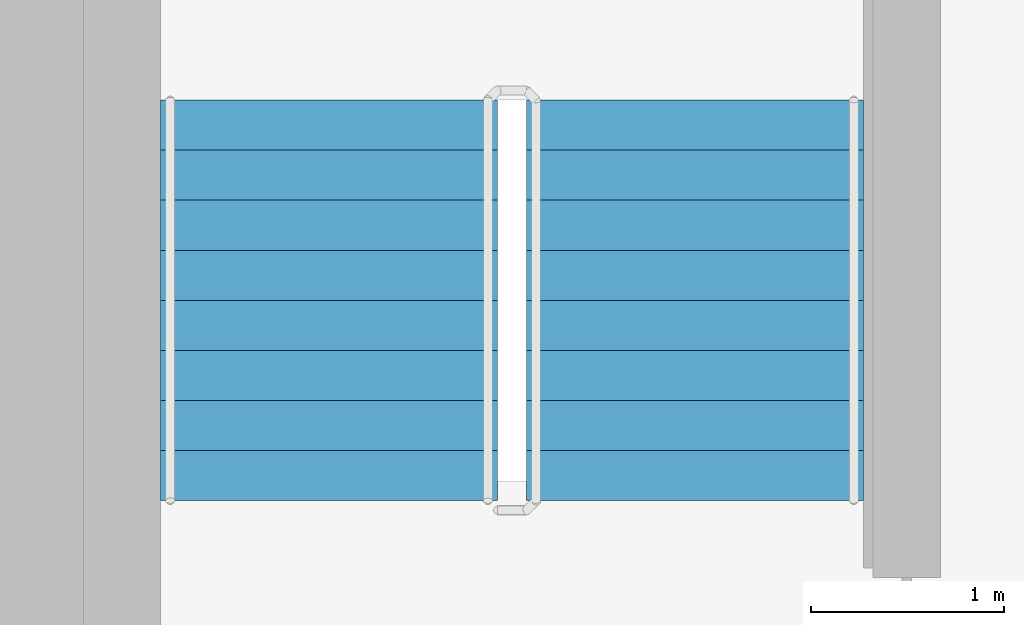
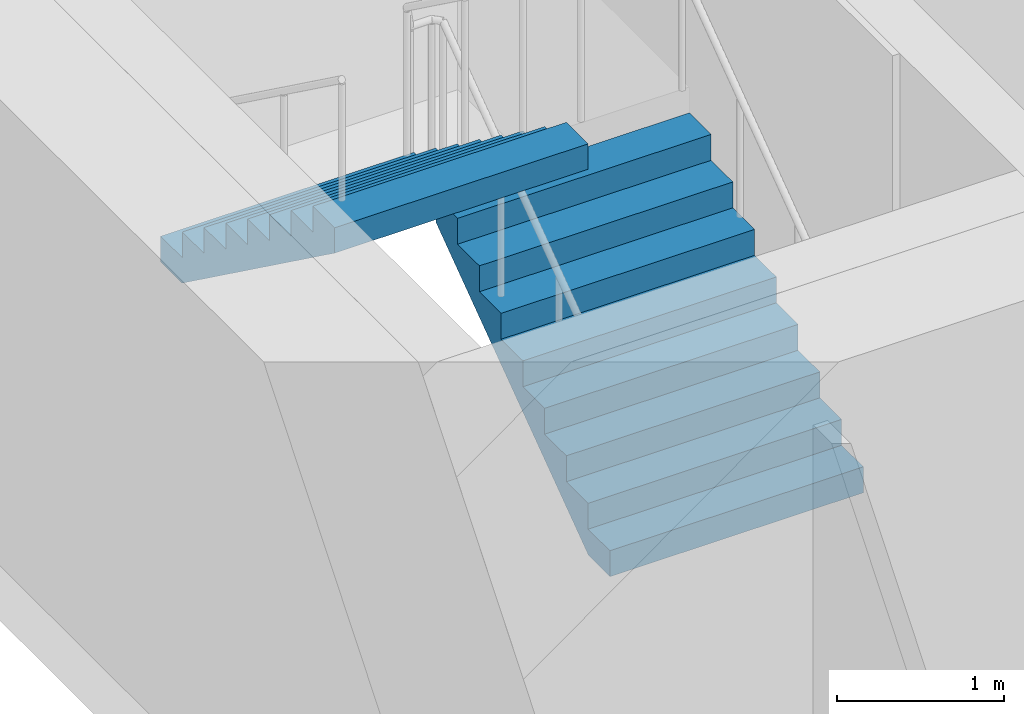
# One storey, part 17 of 20: 2 stair flights, 1 element without a shape of its own.
"""IFC4 building model written with IfcOpenShell, lengths in metres."""

from ifc_helpers import new_model, si_unit, direction, frame, origin, place, context, subcontext, project, spatial, faceted_brep, material, type_object, element, aggregate, save


model = new_model("IFC4")

# Units and contexts
model_context = context("Model", 3, precision=1e-05, world=origin(), true_north=direction((0.0, 1.0)))
body_context = subcontext(model_context, "Body", "Model", "MODEL_VIEW")
ifc_project = project(units=[si_unit("LENGTHUNIT", "METRE"), si_unit("AREAUNIT", "SQUARE_METRE"), si_unit("VOLUMEUNIT", "CUBIC_METRE"), si_unit("PLANEANGLEUNIT", "RADIAN"), si_unit("MASSUNIT", "GRAM", prefix="KILO")], contexts=[model_context])

# Site, building, storey
site_placement = place(None, origin())
site = spatial("IfcSite", under=ifc_project, at=site_placement, CompositionType="ELEMENT")
building_placement = place(site_placement, origin())
building = spatial("IfcBuilding", under=site, at=building_placement, Name="Ipe Terrace Towers", CompositionType="ELEMENT")
storey_placement = place(building_placement, frame((0.0, 0.0, 154.10009765625)))
storey = spatial("IfcBuildingStorey", under=building, at=storey_placement, Name="L42", CompositionType="ELEMENT", Elevation=154.10009765625)

# Stair, stair flights
ifc_material_1 = material(Name="Concrete C30/37", Category="concrete")
stair_type = type_object("IfcStairType", Name="Protected exit stair", PredefinedType="HALF_TURN_STAIR", material=ifc_material_1)
stair_placement = place(storey_placement, origin())
stair = element("IfcStair", 1, at=stair_placement, inside=storey, type_object=stair_type, Name="L42 Exit stair T2-C1", PredefinedType="HALF_TURN_STAIR")
ifc_material_2 = material(Name="Concrete C30/37", Category="concrete")
stair_flight_type = type_object("IfcStairFlightType", Name="Exit stair flight 1750", PredefinedType="STRAIGHT", material=ifc_material_2)
stair_flight_1_placement = place(storey_placement, frame((33.22509765625, 9.699951171875, 0.0), z_axis=(0.0, 0.0, 1.0), x_axis=(0.0, 1.0, 0.0)))
stair_flight_1 = element("IfcStairFlight", 2, at=stair_flight_1_placement, type_object=stair_flight_type, Name="T2-ST1 flight 1", NumberOfRisers=9, NumberOfTreads=8, PredefinedType="STRAIGHT", RiserHeight=0.188888889, TreadLength=0.26, context=body_context, shape_type="Brep", body=[
    faceted_brep([(0.255126953125, -0.875, 0.0), (2.080078125, -0.875, 1.325927734375), (2.080078125, -0.875, 1.51123046875), (1.820068359375, -0.875, 1.51123046875), (1.820068359375, -0.875, 1.322265625), (1.56005859375, -0.875, 1.322265625), (1.56005859375, -0.875, 1.13330078125), (1.300048828125, -0.875, 1.13330078125), (1.300048828125, -0.875, 0.9443359375), (1.0400390625, -0.875, 0.9443359375), (1.0400390625, -0.875, 0.755615234375), (0.780029296875, -0.875, 0.755615234375), (0.780029296875, -0.875, 0.566650390625), (0.52001953125, -0.875, 0.566650390625), (0.52001953125, -0.875, 0.377685546875), (0.260009765625, -0.875, 0.377685546875), (0.260009765625, -0.875, 0.18896484375), (0.0, -0.875, 0.18896484375), (0.0, -0.875, 0.0), (0.0, 0.875, 0.0), (0.0, 0.875, 0.18896484375), (0.260009765625, 0.875, 0.18896484375), (0.260009765625, 0.875, 0.377685546875), (0.52001953125, 0.875, 0.377685546875), (0.52001953125, 0.875, 0.566650390625), (0.780029296875, 0.875, 0.566650390625), (0.780029296875, 0.875, 0.755615234375), (1.0400390625, 0.875, 0.755615234375), (1.0400390625, 0.875, 0.9443359375), (1.300048828125, 0.875, 0.9443359375), (1.300048828125, 0.875, 1.13330078125), (1.56005859375, 0.875, 1.13330078125), (1.56005859375, 0.875, 1.322265625), (1.820068359375, 0.875, 1.322265625), (1.820068359375, 0.875, 1.51123046875), (2.080078125, 0.875, 1.51123046875), (2.080078125, 0.875, 1.325927734375), (0.255126953125, 0.875, 0.0), (0.0, -0.300048828125, 0.18896484375), (0.0, -0.1201171875, 0.18896484375), (0.0, -0.06005859375, 0.18896484375), (0.0, -0.030029296875, 0.18896484375), (0.0, -0.010009765625, 0.18896484375), (0.0, 0.0, 0.18896484375), (0.0, 0.010009765625, 0.18896484375), (0.0, 0.030029296875, 0.18896484375), (0.0, 0.06005859375, 0.18896484375), (0.0, 0.1201171875, 0.18896484375), (0.0, 0.300048828125, 0.18896484375), (0.0, 0.300048828125, 0.0), (0.0, 0.1201171875, 0.0), (0.0, 0.06005859375, 0.0), (0.0, 0.030029296875, 0.0), (0.0, 0.010009765625, 0.0), (0.0, 0.0, 0.0), (0.0, -0.010009765625, 0.0), (0.0, -0.030029296875, 0.0), (0.0, -0.06005859375, 0.0), (0.0, -0.1201171875, 0.0), (0.0, -0.300048828125, 0.0), (0.260009765625, -0.300048828125, 0.18896484375), (0.260009765625, -0.1201171875, 0.18896484375), (0.260009765625, -0.06005859375, 0.18896484375), (0.260009765625, -0.030029296875, 0.18896484375), (0.260009765625, -0.010009765625, 0.18896484375), (0.260009765625, 0.0, 0.18896484375), (0.260009765625, 0.010009765625, 0.18896484375), (0.260009765625, 0.030029296875, 0.18896484375), (0.260009765625, 0.06005859375, 0.18896484375), (0.260009765625, 0.1201171875, 0.18896484375), (0.260009765625, 0.300048828125, 0.18896484375), (0.260009765625, -0.300048828125, 0.377685546875), (0.260009765625, -0.1201171875, 0.377685546875), (0.260009765625, -0.06005859375, 0.377685546875), (0.260009765625, -0.030029296875, 0.377685546875), (0.260009765625, -0.010009765625, 0.377685546875), (0.260009765625, 0.0, 0.377685546875), (0.260009765625, 0.010009765625, 0.377685546875), (0.260009765625, 0.030029296875, 0.377685546875), (0.260009765625, 0.06005859375, 0.377685546875), (0.260009765625, 0.1201171875, 0.377685546875), (0.260009765625, 0.300048828125, 0.377685546875), (0.52001953125, -0.300048828125, 0.377685546875), (0.52001953125, -0.1201171875, 0.377685546875), (0.52001953125, -0.06005859375, 0.377685546875), (0.52001953125, -0.030029296875, 0.377685546875), (0.52001953125, -0.010009765625, 0.377685546875), (0.52001953125, 0.0, 0.377685546875), (0.52001953125, 0.010009765625, 0.377685546875), (0.52001953125, 0.030029296875, 0.377685546875), (0.52001953125, 0.06005859375, 0.377685546875), (0.52001953125, 0.1201171875, 0.377685546875), (0.52001953125, 0.300048828125, 0.377685546875), (0.52001953125, -0.300048828125, 0.566650390625), (0.52001953125, -0.1201171875, 0.566650390625), (0.52001953125, -0.06005859375, 0.566650390625), (0.52001953125, -0.030029296875, 0.566650390625), (0.52001953125, -0.010009765625, 0.566650390625), (0.52001953125, 0.0, 0.566650390625), (0.52001953125, 0.010009765625, 0.566650390625), (0.52001953125, 0.030029296875, 0.566650390625), (0.52001953125, 0.06005859375, 0.566650390625), (0.52001953125, 0.1201171875, 0.566650390625), (0.52001953125, 0.300048828125, 0.566650390625), (0.780029296875, -0.300048828125, 0.566650390625), (0.780029296875, -0.1201171875, 0.566650390625), (0.780029296875, -0.06005859375, 0.566650390625), (0.780029296875, -0.030029296875, 0.566650390625), (0.780029296875, -0.010009765625, 0.566650390625), (0.780029296875, 0.0, 0.566650390625), (0.780029296875, 0.010009765625, 0.566650390625), (0.780029296875, 0.030029296875, 0.566650390625), (0.780029296875, 0.06005859375, 0.566650390625), (0.780029296875, 0.1201171875, 0.566650390625), (0.780029296875, 0.300048828125, 0.566650390625), (0.780029296875, -0.300048828125, 0.755615234375), (0.780029296875, -0.1201171875, 0.755615234375), (0.780029296875, -0.06005859375, 0.755615234375), (0.780029296875, -0.030029296875, 0.755615234375), (0.780029296875, -0.010009765625, 0.755615234375), (0.780029296875, 0.0, 0.755615234375), (0.780029296875, 0.010009765625, 0.755615234375), (0.780029296875, 0.030029296875, 0.755615234375), (0.780029296875, 0.06005859375, 0.755615234375), (0.780029296875, 0.1201171875, 0.755615234375), (0.780029296875, 0.300048828125, 0.755615234375), (1.0400390625, -0.300048828125, 0.755615234375), (1.0400390625, -0.1201171875, 0.755615234375), (1.0400390625, -0.06005859375, 0.755615234375), (1.0400390625, -0.030029296875, 0.755615234375), (1.0400390625, -0.010009765625, 0.755615234375), (1.0400390625, 0.0, 0.755615234375), (1.0400390625, 0.010009765625, 0.755615234375), (1.0400390625, 0.030029296875, 0.755615234375), (1.0400390625, 0.06005859375, 0.755615234375), (1.0400390625, 0.1201171875, 0.755615234375), (1.0400390625, 0.300048828125, 0.755615234375), (1.0400390625, -0.300048828125, 0.9443359375), (1.0400390625, -0.1201171875, 0.9443359375), (1.0400390625, -0.06005859375, 0.9443359375), (1.0400390625, -0.030029296875, 0.9443359375), (1.0400390625, -0.010009765625, 0.9443359375), (1.0400390625, 0.0, 0.9443359375), (1.0400390625, 0.010009765625, 0.9443359375), (1.0400390625, 0.030029296875, 0.9443359375), (1.0400390625, 0.06005859375, 0.9443359375), (1.0400390625, 0.1201171875, 0.9443359375), (1.0400390625, 0.300048828125, 0.9443359375), (1.300048828125, -0.300048828125, 0.9443359375), (1.300048828125, -0.1201171875, 0.9443359375), (1.300048828125, -0.06005859375, 0.9443359375), (1.300048828125, -0.030029296875, 0.9443359375), (1.300048828125, -0.010009765625, 0.9443359375), (1.300048828125, 0.0, 0.9443359375), (1.300048828125, 0.010009765625, 0.9443359375), (1.300048828125, 0.030029296875, 0.9443359375), (1.300048828125, 0.06005859375, 0.9443359375), (1.300048828125, 0.1201171875, 0.9443359375), (1.300048828125, 0.300048828125, 0.9443359375), (1.300048828125, -0.300048828125, 1.13330078125), (1.300048828125, -0.1201171875, 1.13330078125), (1.300048828125, -0.06005859375, 1.13330078125), (1.300048828125, -0.030029296875, 1.13330078125), (1.300048828125, -0.010009765625, 1.13330078125), (1.300048828125, 0.0, 1.13330078125), (1.300048828125, 0.010009765625, 1.13330078125), (1.300048828125, 0.030029296875, 1.13330078125), (1.300048828125, 0.06005859375, 1.13330078125), (1.300048828125, 0.1201171875, 1.13330078125), (1.300048828125, 0.300048828125, 1.13330078125), (1.56005859375, -0.300048828125, 1.13330078125), (1.56005859375, -0.1201171875, 1.13330078125), (1.56005859375, -0.06005859375, 1.13330078125), (1.56005859375, -0.030029296875, 1.13330078125), (1.56005859375, -0.010009765625, 1.13330078125), (1.56005859375, 0.0, 1.13330078125), (1.56005859375, 0.010009765625, 1.13330078125), (1.56005859375, 0.030029296875, 1.13330078125), (1.56005859375, 0.06005859375, 1.13330078125), (1.56005859375, 0.1201171875, 1.13330078125), (1.56005859375, 0.300048828125, 1.13330078125), (1.56005859375, -0.300048828125, 1.322265625), (1.56005859375, -0.1201171875, 1.322265625), (1.56005859375, -0.06005859375, 1.322265625), (1.56005859375, -0.030029296875, 1.322265625), (1.56005859375, -0.010009765625, 1.322265625), (1.56005859375, 0.0, 1.322265625), (1.56005859375, 0.010009765625, 1.322265625), (1.56005859375, 0.030029296875, 1.322265625), (1.56005859375, 0.06005859375, 1.322265625), (1.56005859375, 0.1201171875, 1.322265625), (1.56005859375, 0.300048828125, 1.322265625), (1.820068359375, -0.300048828125, 1.322265625), (1.820068359375, -0.1201171875, 1.322265625), (1.820068359375, -0.06005859375, 1.322265625), (1.820068359375, -0.030029296875, 1.322265625), (1.820068359375, -0.010009765625, 1.322265625), (1.820068359375, 0.0, 1.322265625), (1.820068359375, 0.010009765625, 1.322265625), (1.820068359375, 0.030029296875, 1.322265625), (1.820068359375, 0.06005859375, 1.322265625), (1.820068359375, 0.1201171875, 1.322265625), (1.820068359375, 0.300048828125, 1.322265625), (1.820068359375, -0.300048828125, 1.51123046875), (1.820068359375, -0.1201171875, 1.51123046875), (1.820068359375, -0.06005859375, 1.51123046875), (1.820068359375, -0.030029296875, 1.51123046875), (1.820068359375, -0.010009765625, 1.51123046875), (1.820068359375, 0.0, 1.51123046875), (1.820068359375, 0.010009765625, 1.51123046875), (1.820068359375, 0.030029296875, 1.51123046875), (1.820068359375, 0.06005859375, 1.51123046875), (1.820068359375, 0.1201171875, 1.51123046875), (1.820068359375, 0.300048828125, 1.51123046875), (2.080078125, -0.300048828125, 1.51123046875), (2.080078125, -0.1201171875, 1.51123046875), (2.080078125, -0.06005859375, 1.51123046875), (2.080078125, -0.030029296875, 1.51123046875), (2.080078125, -0.010009765625, 1.51123046875), (2.080078125, 0.0, 1.51123046875), (2.080078125, 0.010009765625, 1.51123046875), (2.080078125, 0.030029296875, 1.51123046875), (2.080078125, 0.06005859375, 1.51123046875), (2.080078125, 0.1201171875, 1.51123046875), (2.080078125, 0.300048828125, 1.51123046875), (2.080078125, -0.300048828125, 1.325927734375), (2.080078125, -0.1201171875, 1.325927734375), (2.080078125, -0.06005859375, 1.325927734375), (2.080078125, -0.030029296875, 1.325927734375), (2.080078125, -0.010009765625, 1.325927734375), (2.080078125, 0.0, 1.325927734375), (2.080078125, 0.010009765625, 1.325927734375), (2.080078125, 0.030029296875, 1.325927734375), (2.080078125, 0.06005859375, 1.325927734375), (2.080078125, 0.1201171875, 1.325927734375), (2.080078125, 0.300048828125, 1.325927734375), (0.255126953125, -0.300048828125, 0.0), (0.255126953125, -0.1201171875, 0.0), (0.255126953125, -0.06005859375, 0.0), (0.255126953125, -0.030029296875, 0.0), (0.255126953125, -0.010009765625, 0.0), (0.255126953125, 0.0, 0.0), (0.255126953125, 0.010009765625, 0.0), (0.255126953125, 0.030029296875, 0.0), (0.255126953125, 0.06005859375, 0.0), (0.255126953125, 0.1201171875, 0.0), (0.255126953125, 0.300048828125, 0.0)], [[[0, 1, 2, 3, 4, 5, 6, 7, 8, 9, 10, 11, 12, 13, 14, 15, 16, 17, 18]], [[19, 20, 21, 22, 23, 24, 25, 26, 27, 28, 29, 30, 31, 32, 33, 34, 35, 36, 37]], [[17, 38, 39, 40, 41, 42, 43, 44, 45, 46, 47, 48, 20, 19, 49, 50, 51, 52, 53, 54, 55, 56, 57, 58, 59, 18]], [[16, 60, 61, 62, 63, 64, 65, 66, 67, 68, 69, 70, 21, 20, 48, 47, 46, 45, 44, 43, 42, 41, 40, 39, 38, 17]], [[15, 71, 72, 73, 74, 75, 76, 77, 78, 79, 80, 81, 22, 21, 70, 69, 68, 67, 66, 65, 64, 63, 62, 61, 60, 16]], [[14, 82, 83, 84, 85, 86, 87, 88, 89, 90, 91, 92, 23, 22, 81, 80, 79, 78, 77, 76, 75, 74, 73, 72, 71, 15]], [[13, 93, 94, 95, 96, 97, 98, 99, 100, 101, 102, 103, 24, 23, 92, 91, 90, 89, 88, 87, 86, 85, 84, 83, 82, 14]], [[12, 104, 105, 106, 107, 108, 109, 110, 111, 112, 113, 114, 25, 24, 103, 102, 101, 100, 99, 98, 97, 96, 95, 94, 93, 13]], [[11, 115, 116, 117, 118, 119, 120, 121, 122, 123, 124, 125, 26, 25, 114, 113, 112, 111, 110, 109, 108, 107, 106, 105, 104, 12]], [[10, 126, 127, 128, 129, 130, 131, 132, 133, 134, 135, 136, 27, 26, 125, 124, 123, 122, 121, 120, 119, 118, 117, 116, 115, 11]], [[9, 137, 138, 139, 140, 141, 142, 143, 144, 145, 146, 147, 28, 27, 136, 135, 134, 133, 132, 131, 130, 129, 128, 127, 126, 10]], [[8, 148, 149, 150, 151, 152, 153, 154, 155, 156, 157, 158, 29, 28, 147, 146, 145, 144, 143, 142, 141, 140, 139, 138, 137, 9]], [[7, 159, 160, 161, 162, 163, 164, 165, 166, 167, 168, 169, 30, 29, 158, 157, 156, 155, 154, 153, 152, 151, 150, 149, 148, 8]], [[6, 170, 171, 172, 173, 174, 175, 176, 177, 178, 179, 180, 31, 30, 169, 168, 167, 166, 165, 164, 163, 162, 161, 160, 159, 7]], [[5, 181, 182, 183, 184, 185, 186, 187, 188, 189, 190, 191, 32, 31, 180, 179, 178, 177, 176, 175, 174, 173, 172, 171, 170, 6]], [[4, 192, 193, 194, 195, 196, 197, 198, 199, 200, 201, 202, 33, 32, 191, 190, 189, 188, 187, 186, 185, 184, 183, 182, 181, 5]], [[3, 203, 204, 205, 206, 207, 208, 209, 210, 211, 212, 213, 34, 33, 202, 201, 200, 199, 198, 197, 196, 195, 194, 193, 192, 4]], [[2, 214, 215, 216, 217, 218, 219, 220, 221, 222, 223, 224, 35, 34, 213, 212, 211, 210, 209, 208, 207, 206, 205, 204, 203, 3]], [[1, 225, 226, 227, 228, 229, 230, 231, 232, 233, 234, 235, 36, 35, 224, 223, 222, 221, 220, 219, 218, 217, 216, 215, 214, 2]], [[0, 236, 237, 238, 239, 240, 241, 242, 243, 244, 245, 246, 37, 36, 235, 234, 233, 232, 231, 230, 229, 228, 227, 226, 225, 1]], [[18, 59, 58, 57, 56, 55, 54, 53, 52, 51, 50, 49, 19, 37, 246, 245, 244, 243, 242, 241, 240, 239, 238, 237, 236, 0]]]),
])
stair_flight_2_placement = place(storey_placement, frame((31.324951171875, 11.780029296875, 1.699951171875), z_axis=(0.0, 0.0, 1.0), x_axis=(0.0, -1.0, 0.0)))
stair_flight_2 = element("IfcStairFlight", 3, at=stair_flight_2_placement, type_object=stair_flight_type, Name="T2-ST1 flight 2", NumberOfRisers=9, NumberOfTreads=8, PredefinedType="STRAIGHT", RiserHeight=0.188888889, TreadLength=0.26, context=body_context, shape_type="Brep", body=[
    faceted_brep([(0.255126953125, -0.875, 0.0), (2.080078125, -0.875, 1.325927734375), (2.080078125, -0.875, 1.51123046875), (1.820068359375, -0.875, 1.51123046875), (1.820068359375, -0.875, 1.322265625), (1.56005859375, -0.875, 1.322265625), (1.56005859375, -0.875, 1.13330078125), (1.300048828125, -0.875, 1.13330078125), (1.300048828125, -0.875, 0.9443359375), (1.0400390625, -0.875, 0.9443359375), (1.0400390625, -0.875, 0.755615234375), (0.780029296875, -0.875, 0.755615234375), (0.780029296875, -0.875, 0.566650390625), (0.52001953125, -0.875, 0.566650390625), (0.52001953125, -0.875, 0.377685546875), (0.260009765625, -0.875, 0.377685546875), (0.260009765625, -0.875, 0.18896484375), (0.0, -0.875, 0.18896484375), (0.0, -0.875, 0.0), (0.0, 0.875, 0.0), (0.0, 0.875, 0.18896484375), (0.260009765625, 0.875, 0.18896484375), (0.260009765625, 0.875, 0.377685546875), (0.52001953125, 0.875, 0.377685546875), (0.52001953125, 0.875, 0.566650390625), (0.780029296875, 0.875, 0.566650390625), (0.780029296875, 0.875, 0.755615234375), (1.0400390625, 0.875, 0.755615234375), (1.0400390625, 0.875, 0.9443359375), (1.300048828125, 0.875, 0.9443359375), (1.300048828125, 0.875, 1.13330078125), (1.56005859375, 0.875, 1.13330078125), (1.56005859375, 0.875, 1.322265625), (1.820068359375, 0.875, 1.322265625), (1.820068359375, 0.875, 1.51123046875), (2.080078125, 0.875, 1.51123046875), (2.080078125, 0.875, 1.325927734375), (0.255126953125, 0.875, 0.0), (0.0, -0.300048828125, 0.18896484375), (0.0, -0.1201171875, 0.18896484375), (0.0, -0.06005859375, 0.18896484375), (0.0, -0.030029296875, 0.18896484375), (0.0, -0.010009765625, 0.18896484375), (0.0, 0.0, 0.18896484375), (0.0, 0.010009765625, 0.18896484375), (0.0, 0.030029296875, 0.18896484375), (0.0, 0.06005859375, 0.18896484375), (0.0, 0.1201171875, 0.18896484375), (0.0, 0.300048828125, 0.18896484375), (0.0, 0.300048828125, 0.0), (0.0, 0.1201171875, 0.0), (0.0, 0.06005859375, 0.0), (0.0, 0.030029296875, 0.0), (0.0, 0.010009765625, 0.0), (0.0, 0.0, 0.0), (0.0, -0.010009765625, 0.0), (0.0, -0.030029296875, 0.0), (0.0, -0.06005859375, 0.0), (0.0, -0.1201171875, 0.0), (0.0, -0.300048828125, 0.0), (0.260009765625, -0.300048828125, 0.18896484375), (0.260009765625, -0.1201171875, 0.18896484375), (0.260009765625, -0.06005859375, 0.18896484375), (0.260009765625, -0.030029296875, 0.18896484375), (0.260009765625, -0.010009765625, 0.18896484375), (0.260009765625, 0.0, 0.18896484375), (0.260009765625, 0.010009765625, 0.18896484375), (0.260009765625, 0.030029296875, 0.18896484375), (0.260009765625, 0.06005859375, 0.18896484375), (0.260009765625, 0.1201171875, 0.18896484375), (0.260009765625, 0.300048828125, 0.18896484375), (0.260009765625, -0.300048828125, 0.377685546875), (0.260009765625, -0.1201171875, 0.377685546875), (0.260009765625, -0.06005859375, 0.377685546875), (0.260009765625, -0.030029296875, 0.377685546875), (0.260009765625, -0.010009765625, 0.377685546875), (0.260009765625, 0.0, 0.377685546875), (0.260009765625, 0.010009765625, 0.377685546875), (0.260009765625, 0.030029296875, 0.377685546875), (0.260009765625, 0.06005859375, 0.377685546875), (0.260009765625, 0.1201171875, 0.377685546875), (0.260009765625, 0.300048828125, 0.377685546875), (0.52001953125, -0.300048828125, 0.377685546875), (0.52001953125, -0.1201171875, 0.377685546875), (0.52001953125, -0.06005859375, 0.377685546875), (0.52001953125, -0.030029296875, 0.377685546875), (0.52001953125, -0.010009765625, 0.377685546875), (0.52001953125, 0.0, 0.377685546875), (0.52001953125, 0.010009765625, 0.377685546875), (0.52001953125, 0.030029296875, 0.377685546875), (0.52001953125, 0.06005859375, 0.377685546875), (0.52001953125, 0.1201171875, 0.377685546875), (0.52001953125, 0.300048828125, 0.377685546875), (0.52001953125, -0.300048828125, 0.566650390625), (0.52001953125, -0.1201171875, 0.566650390625), (0.52001953125, -0.06005859375, 0.566650390625), (0.52001953125, -0.030029296875, 0.566650390625), (0.52001953125, -0.010009765625, 0.566650390625), (0.52001953125, 0.0, 0.566650390625), (0.52001953125, 0.010009765625, 0.566650390625), (0.52001953125, 0.030029296875, 0.566650390625), (0.52001953125, 0.06005859375, 0.566650390625), (0.52001953125, 0.1201171875, 0.566650390625), (0.52001953125, 0.300048828125, 0.566650390625), (0.780029296875, -0.300048828125, 0.566650390625), (0.780029296875, -0.1201171875, 0.566650390625), (0.780029296875, -0.06005859375, 0.566650390625), (0.780029296875, -0.030029296875, 0.566650390625), (0.780029296875, -0.010009765625, 0.566650390625), (0.780029296875, 0.0, 0.566650390625), (0.780029296875, 0.010009765625, 0.566650390625), (0.780029296875, 0.030029296875, 0.566650390625), (0.780029296875, 0.06005859375, 0.566650390625), (0.780029296875, 0.1201171875, 0.566650390625), (0.780029296875, 0.300048828125, 0.566650390625), (0.780029296875, -0.300048828125, 0.755615234375), (0.780029296875, -0.1201171875, 0.755615234375), (0.780029296875, -0.06005859375, 0.755615234375), (0.780029296875, -0.030029296875, 0.755615234375), (0.780029296875, -0.010009765625, 0.755615234375), (0.780029296875, 0.0, 0.755615234375), (0.780029296875, 0.010009765625, 0.755615234375), (0.780029296875, 0.030029296875, 0.755615234375), (0.780029296875, 0.06005859375, 0.755615234375), (0.780029296875, 0.1201171875, 0.755615234375), (0.780029296875, 0.300048828125, 0.755615234375), (1.0400390625, -0.300048828125, 0.755615234375), (1.0400390625, -0.1201171875, 0.755615234375), (1.0400390625, -0.06005859375, 0.755615234375), (1.0400390625, -0.030029296875, 0.755615234375), (1.0400390625, -0.010009765625, 0.755615234375), (1.0400390625, 0.0, 0.755615234375), (1.0400390625, 0.010009765625, 0.755615234375), (1.0400390625, 0.030029296875, 0.755615234375), (1.0400390625, 0.06005859375, 0.755615234375), (1.0400390625, 0.1201171875, 0.755615234375), (1.0400390625, 0.300048828125, 0.755615234375), (1.0400390625, -0.300048828125, 0.9443359375), (1.0400390625, -0.1201171875, 0.9443359375), (1.0400390625, -0.06005859375, 0.9443359375), (1.0400390625, -0.030029296875, 0.9443359375), (1.0400390625, -0.010009765625, 0.9443359375), (1.0400390625, 0.0, 0.9443359375), (1.0400390625, 0.010009765625, 0.9443359375), (1.0400390625, 0.030029296875, 0.9443359375), (1.0400390625, 0.06005859375, 0.9443359375), (1.0400390625, 0.1201171875, 0.9443359375), (1.0400390625, 0.300048828125, 0.9443359375), (1.300048828125, -0.300048828125, 0.9443359375), (1.300048828125, -0.1201171875, 0.9443359375), (1.300048828125, -0.06005859375, 0.9443359375), (1.300048828125, -0.030029296875, 0.9443359375), (1.300048828125, -0.010009765625, 0.9443359375), (1.300048828125, 0.0, 0.9443359375), (1.300048828125, 0.010009765625, 0.9443359375), (1.300048828125, 0.030029296875, 0.9443359375), (1.300048828125, 0.06005859375, 0.9443359375), (1.300048828125, 0.1201171875, 0.9443359375), (1.300048828125, 0.300048828125, 0.9443359375), (1.300048828125, -0.300048828125, 1.13330078125), (1.300048828125, -0.1201171875, 1.13330078125), (1.300048828125, -0.06005859375, 1.13330078125), (1.300048828125, -0.030029296875, 1.13330078125), (1.300048828125, -0.010009765625, 1.13330078125), (1.300048828125, 0.0, 1.13330078125), (1.300048828125, 0.010009765625, 1.13330078125), (1.300048828125, 0.030029296875, 1.13330078125), (1.300048828125, 0.06005859375, 1.13330078125), (1.300048828125, 0.1201171875, 1.13330078125), (1.300048828125, 0.300048828125, 1.13330078125), (1.56005859375, -0.300048828125, 1.13330078125), (1.56005859375, -0.1201171875, 1.13330078125), (1.56005859375, -0.06005859375, 1.13330078125), (1.56005859375, -0.030029296875, 1.13330078125), (1.56005859375, -0.010009765625, 1.13330078125), (1.56005859375, 0.0, 1.13330078125), (1.56005859375, 0.010009765625, 1.13330078125), (1.56005859375, 0.030029296875, 1.13330078125), (1.56005859375, 0.06005859375, 1.13330078125), (1.56005859375, 0.1201171875, 1.13330078125), (1.56005859375, 0.300048828125, 1.13330078125), (1.56005859375, -0.300048828125, 1.322265625), (1.56005859375, -0.1201171875, 1.322265625), (1.56005859375, -0.06005859375, 1.322265625), (1.56005859375, -0.030029296875, 1.322265625), (1.56005859375, -0.010009765625, 1.322265625), (1.56005859375, 0.0, 1.322265625), (1.56005859375, 0.010009765625, 1.322265625), (1.56005859375, 0.030029296875, 1.322265625), (1.56005859375, 0.06005859375, 1.322265625), (1.56005859375, 0.1201171875, 1.322265625), (1.56005859375, 0.300048828125, 1.322265625), (1.820068359375, -0.300048828125, 1.322265625), (1.820068359375, -0.1201171875, 1.322265625), (1.820068359375, -0.06005859375, 1.322265625), (1.820068359375, -0.030029296875, 1.322265625), (1.820068359375, -0.010009765625, 1.322265625), (1.820068359375, 0.0, 1.322265625), (1.820068359375, 0.010009765625, 1.322265625), (1.820068359375, 0.030029296875, 1.322265625), (1.820068359375, 0.06005859375, 1.322265625), (1.820068359375, 0.1201171875, 1.322265625), (1.820068359375, 0.300048828125, 1.322265625), (1.820068359375, -0.300048828125, 1.51123046875), (1.820068359375, -0.1201171875, 1.51123046875), (1.820068359375, -0.06005859375, 1.51123046875), (1.820068359375, -0.030029296875, 1.51123046875), (1.820068359375, -0.010009765625, 1.51123046875), (1.820068359375, 0.0, 1.51123046875), (1.820068359375, 0.010009765625, 1.51123046875), (1.820068359375, 0.030029296875, 1.51123046875), (1.820068359375, 0.06005859375, 1.51123046875), (1.820068359375, 0.1201171875, 1.51123046875), (1.820068359375, 0.300048828125, 1.51123046875), (2.080078125, -0.300048828125, 1.51123046875), (2.080078125, -0.1201171875, 1.51123046875), (2.080078125, -0.06005859375, 1.51123046875), (2.080078125, -0.030029296875, 1.51123046875), (2.080078125, -0.010009765625, 1.51123046875), (2.080078125, 0.0, 1.51123046875), (2.080078125, 0.010009765625, 1.51123046875), (2.080078125, 0.030029296875, 1.51123046875), (2.080078125, 0.06005859375, 1.51123046875), (2.080078125, 0.1201171875, 1.51123046875), (2.080078125, 0.300048828125, 1.51123046875), (2.080078125, -0.300048828125, 1.325927734375), (2.080078125, -0.1201171875, 1.325927734375), (2.080078125, -0.06005859375, 1.325927734375), (2.080078125, -0.030029296875, 1.325927734375), (2.080078125, -0.010009765625, 1.325927734375), (2.080078125, 0.0, 1.325927734375), (2.080078125, 0.010009765625, 1.325927734375), (2.080078125, 0.030029296875, 1.325927734375), (2.080078125, 0.06005859375, 1.325927734375), (2.080078125, 0.1201171875, 1.325927734375), (2.080078125, 0.300048828125, 1.325927734375), (0.255126953125, -0.300048828125, 0.0), (0.255126953125, -0.1201171875, 0.0), (0.255126953125, -0.06005859375, 0.0), (0.255126953125, -0.030029296875, 0.0), (0.255126953125, -0.010009765625, 0.0), (0.255126953125, 0.0, 0.0), (0.255126953125, 0.010009765625, 0.0), (0.255126953125, 0.030029296875, 0.0), (0.255126953125, 0.06005859375, 0.0), (0.255126953125, 0.1201171875, 0.0), (0.255126953125, 0.300048828125, 0.0)], [[[0, 1, 2, 3, 4, 5, 6, 7, 8, 9, 10, 11, 12, 13, 14, 15, 16, 17, 18]], [[19, 20, 21, 22, 23, 24, 25, 26, 27, 28, 29, 30, 31, 32, 33, 34, 35, 36, 37]], [[17, 38, 39, 40, 41, 42, 43, 44, 45, 46, 47, 48, 20, 19, 49, 50, 51, 52, 53, 54, 55, 56, 57, 58, 59, 18]], [[16, 60, 61, 62, 63, 64, 65, 66, 67, 68, 69, 70, 21, 20, 48, 47, 46, 45, 44, 43, 42, 41, 40, 39, 38, 17]], [[15, 71, 72, 73, 74, 75, 76, 77, 78, 79, 80, 81, 22, 21, 70, 69, 68, 67, 66, 65, 64, 63, 62, 61, 60, 16]], [[14, 82, 83, 84, 85, 86, 87, 88, 89, 90, 91, 92, 23, 22, 81, 80, 79, 78, 77, 76, 75, 74, 73, 72, 71, 15]], [[13, 93, 94, 95, 96, 97, 98, 99, 100, 101, 102, 103, 24, 23, 92, 91, 90, 89, 88, 87, 86, 85, 84, 83, 82, 14]], [[12, 104, 105, 106, 107, 108, 109, 110, 111, 112, 113, 114, 25, 24, 103, 102, 101, 100, 99, 98, 97, 96, 95, 94, 93, 13]], [[11, 115, 116, 117, 118, 119, 120, 121, 122, 123, 124, 125, 26, 25, 114, 113, 112, 111, 110, 109, 108, 107, 106, 105, 104, 12]], [[10, 126, 127, 128, 129, 130, 131, 132, 133, 134, 135, 136, 27, 26, 125, 124, 123, 122, 121, 120, 119, 118, 117, 116, 115, 11]], [[9, 137, 138, 139, 140, 141, 142, 143, 144, 145, 146, 147, 28, 27, 136, 135, 134, 133, 132, 131, 130, 129, 128, 127, 126, 10]], [[8, 148, 149, 150, 151, 152, 153, 154, 155, 156, 157, 158, 29, 28, 147, 146, 145, 144, 143, 142, 141, 140, 139, 138, 137, 9]], [[7, 159, 160, 161, 162, 163, 164, 165, 166, 167, 168, 169, 30, 29, 158, 157, 156, 155, 154, 153, 152, 151, 150, 149, 148, 8]], [[6, 170, 171, 172, 173, 174, 175, 176, 177, 178, 179, 180, 31, 30, 169, 168, 167, 166, 165, 164, 163, 162, 161, 160, 159, 7]], [[5, 181, 182, 183, 184, 185, 186, 187, 188, 189, 190, 191, 32, 31, 180, 179, 178, 177, 176, 175, 174, 173, 172, 171, 170, 6]], [[4, 192, 193, 194, 195, 196, 197, 198, 199, 200, 201, 202, 33, 32, 191, 190, 189, 188, 187, 186, 185, 184, 183, 182, 181, 5]], [[3, 203, 204, 205, 206, 207, 208, 209, 210, 211, 212, 213, 34, 33, 202, 201, 200, 199, 198, 197, 196, 195, 194, 193, 192, 4]], [[2, 214, 215, 216, 217, 218, 219, 220, 221, 222, 223, 224, 35, 34, 213, 212, 211, 210, 209, 208, 207, 206, 205, 204, 203, 3]], [[1, 225, 226, 227, 228, 229, 230, 231, 232, 233, 234, 235, 36, 35, 224, 223, 222, 221, 220, 219, 218, 217, 216, 215, 214, 2]], [[0, 236, 237, 238, 239, 240, 241, 242, 243, 244, 245, 246, 37, 36, 235, 234, 233, 232, 231, 230, 229, 228, 227, 226, 225, 1]], [[18, 59, 58, 57, 56, 55, 54, 53, 52, 51, 50, 49, 19, 37, 246, 245, 244, 243, 242, 241, 240, 239, 238, 237, 236, 0]]]),
])
aggregate(stair, [stair_flight_1, stair_flight_2])

save(model, "model.ifc")
